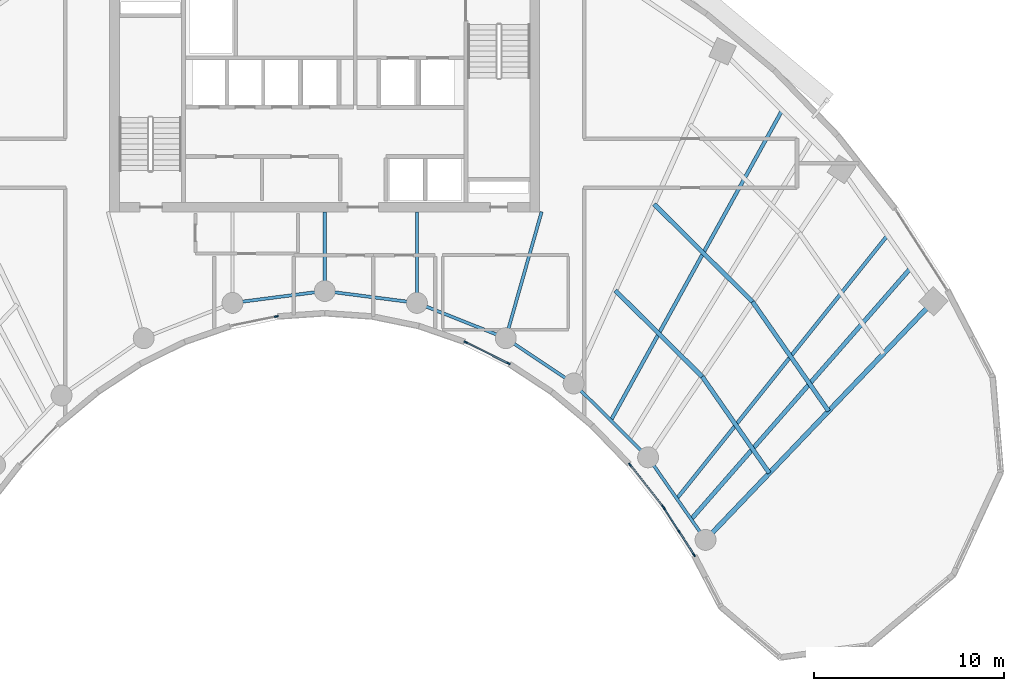
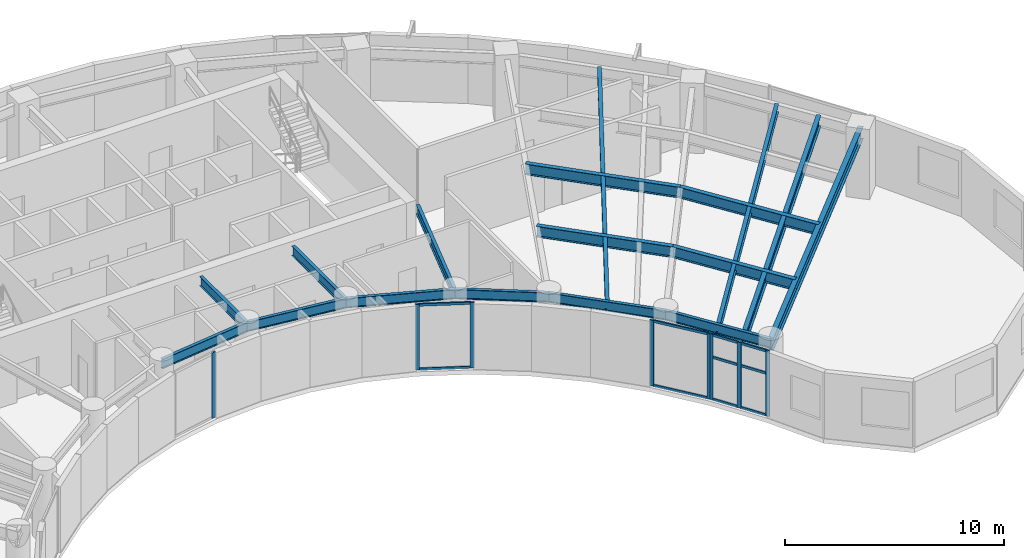
# One storey, part 3 of 13: 18 members, 17 beams, 4 elements without a shape of their own.
"""IFC4 building model written with IfcOpenShell, lengths in metres."""

from ifc_helpers import new_model, si_unit, direction, frame, origin, origin_2d, place, context, subcontext, project, spatial, rectangle, i_section, extrude, source, transform, mapped, material, layer, layer_set, material_profile, profile_set, type_object, type_shapes, element, aggregate, save


model = new_model("IFC4")

# Units and contexts
model_context = context("Model", 3, precision=1e-05, world=origin(), true_north=direction((0.0, 1.0)))
body_context = subcontext(model_context, "Body", "Model", "MODEL_VIEW")
ifc_project = project(units=[si_unit("LENGTHUNIT", "METRE"), si_unit("AREAUNIT", "SQUARE_METRE"), si_unit("VOLUMEUNIT", "CUBIC_METRE"), si_unit("PLANEANGLEUNIT", "RADIAN"), si_unit("MASSUNIT", "GRAM", prefix="KILO")], contexts=[model_context])

# Site, building, storey
site_placement = place(None, origin())
site = spatial("IfcSite", under=ifc_project, at=site_placement, CompositionType="ELEMENT")
building_placement = place(site_placement, origin())
building = spatial("IfcBuilding", under=site, at=building_placement, Name="Breltana Convention Tower", CompositionType="ELEMENT")
storey_placement = place(building_placement, frame((0.0, 0.0, 154.5)))
storey = spatial("IfcBuildingStorey", under=building, at=storey_placement, Name="L37", CompositionType="ELEMENT", Elevation=154.5)

# Beams
ifc_material_1 = material(Name="Steel ASTM A992 Grade 50", Category="steel")
ifc_material_profile_1 = material_profile(ifc_material_1, i_section(OverallWidth=0.25390625, OverallDepth=0.68798828125, WebThickness=0.01318359375, FlangeThickness=0.02099609375, at=origin_2d()), Name="W27X102")
ifc_profile_set_1 = profile_set([ifc_material_profile_1], Name="Steel ASTM A992 Grade 50")
beam_type_1 = type_object("IfcBeamType", Name="BM-RG-W27X102", PredefinedType="USERDEFINED", material=ifc_profile_set_1)
shared_shape_1 = source(origin(), body_context, "Body", "SweptSolid", [
    extrude(i_section(OverallWidth=0.25390625, OverallDepth=0.68798828125, WebThickness=0.01318359375, FlangeThickness=0.02099609375, at=origin_2d()), origin(), (0.0, 0.0, 1.0), 17.341064453125),
])
type_shapes(beam_type_1, [shared_shape_1])
beam_1_placement = place(storey_placement, frame((68.015380859375, 42.95458984375, 3.305908203125), z_axis=(0.690716462293, 0.723125693581, 0.0), x_axis=(-0.723125693581, 0.690716462293, 0.0)))
element("IfcBeam", 1, at=beam_1_placement, inside=storey, type_object=beam_type_1, Name="L37 Radial Floor Girder R11", ObjectType="GIRDER", PredefinedType="USERDEFINED", context=body_context, shape_type="MappedRepresentation", body=[
    mapped(shared_shape_1, transform((0.0, 0.0, 0.0), scale=1.0)),
])
ifc_material_profile_2 = material_profile(ifc_material_1, i_section(OverallWidth=0.166015625, OverallDepth=0.534912109375, WebThickness=0.01025390625, FlangeThickness=0.0166015625, at=origin_2d()), Name="W21X57")
ifc_profile_set_2 = profile_set([ifc_material_profile_2], Name="Steel ASTM A992 Grade 50")
beam_type_2 = type_object("IfcBeamType", Name="BM-BM-W21X57", PredefinedType="BEAM", material=ifc_profile_set_2)
shared_shape_2 = source(origin(), body_context, "Body", "SweptSolid", [
    extrude(i_section(OverallWidth=0.166015625, OverallDepth=0.534912109375, WebThickness=0.01025390625, FlangeThickness=0.0166015625, at=origin_2d()), origin(), (0.0, 0.0, 1.0), 6.904541015625),
])
type_shapes(beam_type_2, [shared_shape_2])
beam_2_placement = place(storey_placement, frame((59.39990234375, 60.199951171875, 3.382568359375), z_axis=(-0.273006781054, -0.962012108811, 0.0), x_axis=(0.962012108811, -0.273006781054, 0.0)))
element("IfcBeam", 2, at=beam_2_placement, inside=storey, type_object=beam_type_2, Name="L37 South Core Tie Girder R08", PredefinedType="BEAM", context=body_context, shape_type="MappedRepresentation", body=[
    mapped(shared_shape_2, transform((0.0, 0.0, 0.0), scale=1.0)),
])
shared_shape_3 = source(origin(), body_context, "Body", "SweptSolid", [
    extrude(i_section(OverallWidth=0.166015625, OverallDepth=0.534912109375, WebThickness=0.01025390625, FlangeThickness=0.0166015625, at=origin_2d()), origin(), (0.0, 0.0, 1.0), 4.789306640625),
])
beam_3_placement = place(storey_placement, frame((52.846435546875, 60.199951171875, 3.382568359375), z_axis=(0.0, -1.0, 0.0), x_axis=(1.0, 0.0, 0.0)))
element("IfcBeam", 3, at=beam_3_placement, inside=storey, type_object=beam_type_2, Name="L37 South Core Tie Girder R07", PredefinedType="BEAM", context=body_context, shape_type="MappedRepresentation", body=[
    mapped(shared_shape_3, transform((0.0, 0.0, 0.0), scale=1.0)),
])
shared_shape_4 = source(origin(), body_context, "Body", "SweptSolid", [
    extrude(i_section(OverallWidth=0.166015625, OverallDepth=0.534912109375, WebThickness=0.01025390625, FlangeThickness=0.0166015625, at=origin_2d()), origin(), (0.0, 0.0, 1.0), 4.1640625),
])
beam_4_placement = place(storey_placement, frame((48.0, 60.199951171875, 3.382568359375), z_axis=(0.0, -1.0, 0.0), x_axis=(1.0, 0.0, 0.0)))
element("IfcBeam", 4, at=beam_4_placement, inside=storey, type_object=beam_type_2, Name="L37 South Core Tie Girder R06", PredefinedType="BEAM", context=body_context, shape_type="MappedRepresentation", body=[
    mapped(shared_shape_4, transform((0.0, 0.0, 0.0), scale=1.0)),
])
shared_shape_5 = source(origin(), body_context, "Body", "SweptSolid", [
    extrude(i_section(OverallWidth=0.166015625, OverallDepth=0.534912109375, WebThickness=0.01025390625, FlangeThickness=0.0166015625, at=origin_2d()), origin(), (0.0, 0.0, 1.0), 5.022705078125),
])
beam_5_placement = place(storey_placement, frame((52.846435546875, 55.41064453125, 3.382568359375), z_axis=(0.929458966248, -0.368925507469, 0.0), x_axis=(0.368925507469, 0.929458966248, 0.0)))
element("IfcBeam", 5, at=beam_5_placement, inside=storey, type_object=beam_type_2, Name="L37 Inner Ring Beam 07", PredefinedType="BEAM", context=body_context, shape_type="MappedRepresentation", body=[
    mapped(shared_shape_5, transform((0.0, 0.0, 0.0), scale=1.0)),
])
shared_shape_6 = source(origin(), body_context, "Body", "SweptSolid", [
    extrude(i_section(OverallWidth=0.166015625, OverallDepth=0.534912109375, WebThickness=0.01025390625, FlangeThickness=0.0166015625, at=origin_2d()), origin(), (0.0, 0.0, 1.0), 4.88671875),
])
for number, where, z_axis, x_axis, name in (
    (6, (43.153564453125, 55.41064453125, 3.382568359375), (0.991780525565, 0.127950729231, 0.0), (-0.127950729231, 0.991780525565, 0.0), "L37 Inner Ring Beam 05"),
    (7, (48.0, 56.035888671875, 3.382568359375), (0.991780525565, -0.127950729231, 0.0), (0.127950729231, 0.991780525565, 0.0), "L37 Inner Ring Beam 06"),
):
    element("IfcBeam", number, at=place(storey_placement, frame(where, z_axis=z_axis, x_axis=x_axis)), inside=storey, type_object=beam_type_2, Name=name, PredefinedType="BEAM", context=body_context, shape_type="MappedRepresentation", body=[
        mapped(shared_shape_6, transform((0.0, 0.0, 0.0), scale=1.0)),
    ])
shared_shape_7 = source(origin(), body_context, "Body", "SweptSolid", [
    extrude(i_section(OverallWidth=0.166015625, OverallDepth=0.534912109375, WebThickness=0.01025390625, FlangeThickness=0.0166015625, at=origin_2d()), origin(), (0.0, 0.0, 1.0), 4.2900390625),
])
beam_6_placement = place(storey_placement, frame((57.514892578125, 53.5576171875, 3.382568359375), z_axis=(0.831515827753, -0.555501060482, 0.0), x_axis=(0.555501060482, 0.831515827753, 0.0)))
element("IfcBeam", 8, at=beam_6_placement, inside=storey, type_object=beam_type_2, Name="L37 Inner Ring Beam 08", PredefinedType="BEAM", context=body_context, shape_type="MappedRepresentation", body=[
    mapped(shared_shape_7, transform((0.0, 0.0, 0.0), scale=1.0)),
])
shared_shape_8 = source(origin(), body_context, "Body", "SweptSolid", [
    extrude(i_section(OverallWidth=0.166015625, OverallDepth=0.534912109375, WebThickness=0.01025390625, FlangeThickness=0.0166015625, at=origin_2d()), origin(), (0.0, 0.0, 1.0), 5.51171875),
])
beam_7_placement = place(storey_placement, frame((61.08203125, 51.174560546875, 3.382568359375), z_axis=(0.710090360749, -0.704110559196, 0.0), x_axis=(0.704110559196, 0.710090360749, 0.0)))
element("IfcBeam", 9, at=beam_7_placement, inside=storey, type_object=beam_type_2, Name="L37 Inner Ring Beam 09", PredefinedType="BEAM", context=body_context, shape_type="MappedRepresentation", body=[
    mapped(shared_shape_8, transform((0.0, 0.0, 0.0), scale=1.0)),
])
shared_shape_9 = source(origin(), body_context, "Body", "SweptSolid", [
    extrude(i_section(OverallWidth=0.166015625, OverallDepth=0.534912109375, WebThickness=0.01025390625, FlangeThickness=0.0166015625, at=origin_2d()), origin(), (0.0, 0.0, 1.0), 5.286376953125),
])
beam_8_placement = place(storey_placement, frame((64.995849609375, 47.293701171875, 3.382568359375), z_axis=(0.571194382458, -0.82081482531, 0.0), x_axis=(0.82081482531, 0.571194382458, 0.0)))
element("IfcBeam", 10, at=beam_8_placement, inside=storey, type_object=beam_type_2, Name="L37 Inner Ring Beam 10", PredefinedType="BEAM", context=body_context, shape_type="MappedRepresentation", body=[
    mapped(shared_shape_9, transform((0.0, 0.0, 0.0), scale=1.0)),
])
ifc_material_profile_3 = material_profile(ifc_material_1, i_section(OverallWidth=0.22802734375, OverallDepth=0.60791015625, WebThickness=0.01123046875, FlangeThickness=0.017333984375, at=origin_2d()), Name="W24X76")
ifc_profile_set_3 = profile_set([ifc_material_profile_3], Name="Steel ASTM A992 Grade 50")
beam_type_3 = type_object("IfcBeamType", Name="BM-JSG-02", PredefinedType="JOIST", material=ifc_profile_set_3)
shared_shape_10 = source(origin(), body_context, "Body", "SweptSolid", [
    extrude(i_section(OverallWidth=0.22802734375, OverallDepth=0.60791015625, WebThickness=0.01123046875, FlangeThickness=0.017333984375, at=origin_2d()), origin(), (0.0, 0.0, 1.0), 6.435302734375),
])
beam_9_placement = place(storey_placement, frame((63.27392578125, 56.06298828125, 3.345947265625), z_axis=(0.710116389828, -0.704084308089, 0.0), x_axis=(0.704084308089, 0.710116389828, 0.0)))
element("IfcBeam", 11, at=beam_9_placement, inside=storey, type_object=beam_type_3, Name="L37 Composite Floor Joist 09.1", PredefinedType="JOIST", context=body_context, shape_type="MappedRepresentation", body=[
    mapped(shared_shape_10, transform((0.0, 0.0, 0.0), scale=1.0)),
])
shared_shape_11 = source(origin(), body_context, "Body", "SweptSolid", [
    extrude(i_section(OverallWidth=0.22802734375, OverallDepth=0.60791015625, WebThickness=0.01123046875, FlangeThickness=0.017333984375, at=origin_2d()), origin(), (0.0, 0.0, 1.0), 7.29296875),
])
beam_10_placement = place(storey_placement, frame((65.309326171875, 60.602294921875, 3.345947265625), z_axis=(0.710096551013, -0.704104316305, 0.0), x_axis=(0.704104316305, 0.710096551013, 0.0)))
element("IfcBeam", 12, at=beam_10_placement, inside=storey, type_object=beam_type_3, Name="L37 Composite Floor Joist 09.2", PredefinedType="JOIST", context=body_context, shape_type="MappedRepresentation", body=[
    mapped(shared_shape_11, transform((0.0, 0.0, 0.0), scale=1.0)),
])
ifc_material_profile_4 = material_profile(ifc_material_1, i_section(OverallWidth=0.19091796875, OverallDepth=0.4599609375, WebThickness=0.010009765625, FlangeThickness=0.01611328125, at=origin_2d()), Name="W18X55")
ifc_profile_set_4 = profile_set([ifc_material_profile_4], Name="Steel ASTM A992 Grade 50")
beam_type_4 = type_object("IfcBeamType", Name="BM-JSG-07", PredefinedType="JOIST", material=ifc_profile_set_4)
shared_shape_12 = source(origin(), body_context, "Body", "SweptSolid", [
    extrude(i_section(OverallWidth=0.19091796875, OverallDepth=0.4599609375, WebThickness=0.010009765625, FlangeThickness=0.01611328125, at=origin_2d()), origin(), (0.0, 0.0, 1.0), 18.617431640625),
])
beam_11_placement = place(storey_placement, frame((63.038818359375, 49.234130859375, 3.419921875), z_axis=(0.483405602507, 0.875396495004, 0.0), x_axis=(-0.875396495004, 0.483405602507, 0.0)))
element("IfcBeam", 13, at=beam_11_placement, inside=storey, type_object=beam_type_4, Name="L37 Mid-Bay Radial Trimmer 09", PredefinedType="JOIST", context=body_context, shape_type="MappedRepresentation", body=[
    mapped(shared_shape_12, transform((0.0, 0.0, 0.0), scale=1.0)),
])
shared_shape_13 = source(origin(), body_context, "Body", "SweptSolid", [
    extrude(i_section(OverallWidth=0.22802734375, OverallDepth=0.60791015625, WebThickness=0.01123046875, FlangeThickness=0.017333984375, at=origin_2d()), origin(), (0.0, 0.0, 1.0), 6.172119140625),
])
beam_12_placement = place(storey_placement, frame((67.84375, 51.531982421875, 3.345947265625), z_axis=(0.571211663392, -0.820802799462, 0.0), x_axis=(0.820802799462, 0.571211663392, 0.0)))
element("IfcBeam", 14, at=beam_12_placement, inside=storey, type_object=beam_type_3, Name="L37 Composite Floor Joist 10.1", PredefinedType="JOIST", context=body_context, shape_type="MappedRepresentation", body=[
    mapped(shared_shape_13, transform((0.0, 0.0, 0.0), scale=1.0)),
])
shared_shape_14 = source(origin(), body_context, "Body", "SweptSolid", [
    extrude(i_section(OverallWidth=0.22802734375, OverallDepth=0.60791015625, WebThickness=0.01123046875, FlangeThickness=0.017333984375, at=origin_2d()), origin(), (0.0, 0.0, 1.0), 6.99462890625),
])
beam_13_placement = place(storey_placement, frame((70.488037109375, 55.46728515625, 3.345947265625), z_axis=(0.571206630732, -0.820806301759, 0.0), x_axis=(0.820806301759, 0.571206630732, 0.0)))
element("IfcBeam", 15, at=beam_13_placement, inside=storey, type_object=beam_type_3, Name="L37 Composite Floor Joist 10.2", PredefinedType="JOIST", context=body_context, shape_type="MappedRepresentation", body=[
    mapped(shared_shape_14, transform((0.0, 0.0, 0.0), scale=1.0)),
])
shared_shape_15 = source(origin(), body_context, "Body", "SweptSolid", [
    extrude(i_section(OverallWidth=0.19091796875, OverallDepth=0.4599609375, WebThickness=0.010009765625, FlangeThickness=0.01611328125, at=origin_2d()), origin(), (0.0, 0.0, 1.0), 17.7236328125),
])
beam_14_placement = place(storey_placement, frame((66.505615234375, 45.124267578125, 3.419921875), z_axis=(0.624829427563, 0.78076128647, 0.0), x_axis=(-0.78076128647, 0.624829427563, 0.0)))
element("IfcBeam", 16, at=beam_14_placement, inside=storey, type_object=beam_type_4, Name="L37 Mid-Bay Radial Trimmer 10", PredefinedType="JOIST", context=body_context, shape_type="MappedRepresentation", body=[
    mapped(shared_shape_15, transform((0.0, 0.0, 0.0), scale=1.0)),
])
shared_shape_16 = source(origin(), body_context, "Body", "SweptSolid", [
    extrude(i_section(OverallWidth=0.22802734375, OverallDepth=0.60791015625, WebThickness=0.01123046875, FlangeThickness=0.017333984375, at=origin_2d()), origin(), (0.0, 0.0, 1.0), 17.515625),
])
beam_15_placement = place(storey_placement, frame((67.260498046875, 44.03955078125, 3.345947265625), z_axis=(0.658051548324, 0.752972881151, 0.0), x_axis=(-0.752972881151, 0.658051548324, 0.0)))
element("IfcBeam", 17, at=beam_15_placement, inside=storey, type_object=beam_type_3, Name="L37 Quarter-Bay Radial Trimmer 10", PredefinedType="JOIST", context=body_context, shape_type="MappedRepresentation", body=[
    mapped(shared_shape_16, transform((0.0, 0.0, 0.0), scale=1.0)),
])

# Curtain wall, members
ifc_material_2 = material(Name="Aluminium Anodised Bronze Frame", Category="aluminium")
ifc_layer = layer(ifc_material_2, 0.18994140625, Name="Aluminium Anodised Bronze Frame")
ifc_layer_set = layer_set([ifc_layer], Name="Aluminium Anodised Bronze Frame")
curtain_wall_type = type_object("IfcCurtainWallType", Name="CW-SYS-1", PredefinedType="NOTDEFINED", material=ifc_layer_set)
curtain_wall_1_placement = place(storey_placement, origin())
curtain_wall_1 = element("IfcCurtainWall", 18, at=curtain_wall_1_placement, inside=storey, type_object=curtain_wall_type, Name="L37 inner south-court glazing 1", PredefinedType="NOTDEFINED")
ifc_material_3 = material(Name="Aluminium Anodised Bronze", Category="aluminium")
ifc_material_profile_5 = material_profile(ifc_material_3, rectangle(XDim=0.080078125, YDim=0.199951171875, at=origin_2d()), Name="CWM-80X200")
ifc_profile_set_5 = profile_set([ifc_material_profile_5], Name="Aluminium Anodised Bronze")
member_type_1 = type_object("IfcMemberType", Name="CWM-200", PredefinedType="MULLION", material=ifc_profile_set_5)
shared_shape_17 = source(origin(), body_context, "Body", "SweptSolid", [
    extrude(rectangle(XDim=0.080078125, YDim=0.199951171875, at=origin_2d()), origin(), (0.0, 0.0, 1.0), 3.64990234375),
])
member_1_placement = place(storey_placement, frame((67.40966796875, 42.17041015625, 0.0), z_axis=(0.0, 0.0, 1.0), x_axis=(-0.841546744491, -0.540184298954, 0.0)))
member_1 = element("IfcMember", 19, at=member_1_placement, type_object=member_type_1, Name="CW-01 mullion 1", PredefinedType="MULLION", context=body_context, shape_type="MappedRepresentation", body=[
    mapped(shared_shape_17, transform((0.0, 0.0, 0.0), scale=1.0)),
])
member_2_placement = place(storey_placement, frame((66.626220703125, 43.390869140625, 0.0), z_axis=(0.0, 0.0, 1.0), x_axis=(-0.841546744491, -0.540184298954, 0.0)))
member_2 = element("IfcMember", 20, at=member_2_placement, type_object=member_type_1, Name="CW-01 mullion 2", PredefinedType="MULLION", context=body_context, shape_type="MappedRepresentation", body=[
    mapped(shared_shape_17, transform((0.0, 0.0, 0.0), scale=1.0)),
])
member_3_placement = place(storey_placement, frame((65.843017578125, 44.611328125, 0.0), z_axis=(0.0, 0.0, 1.0), x_axis=(-0.841546744491, -0.540184298954, 0.0)))
member_3 = element("IfcMember", 21, at=member_3_placement, type_object=member_type_1, Name="CW-01 mullion 3", PredefinedType="MULLION", context=body_context, shape_type="MappedRepresentation", body=[
    mapped(shared_shape_17, transform((0.0, 0.0, 0.0), scale=1.0)),
])

curtain_wall_2_placement = place(storey_placement, origin())
curtain_wall_2 = element("IfcCurtainWall", 22, at=curtain_wall_2_placement, inside=storey, type_object=curtain_wall_type, Name="L37 inner south-court glazing 2", PredefinedType="NOTDEFINED")
member_4_placement = place(storey_placement, frame((65.78662109375, 44.6904296875, 0.0), z_axis=(0.0, 0.0, 1.0), x_axis=(-0.786051168431, -0.618161435717, 0.0)))
member_4 = element("IfcMember", 23, at=member_4_placement, type_object=member_type_1, Name="CW-01 mullion 1", PredefinedType="MULLION", context=body_context, shape_type="MappedRepresentation", body=[
    mapped(shared_shape_17, transform((0.0, 0.0, 0.0), scale=1.0)),
])
member_5_placement = place(storey_placement, frame((64.045166015625, 46.905029296875, 0.0), z_axis=(0.0, 0.0, 1.0), x_axis=(-0.786051168431, -0.618161435717, 0.0)))
member_5 = element("IfcMember", 24, at=member_5_placement, type_object=member_type_1, Name="CW-01 mullion 2", PredefinedType="MULLION", context=body_context, shape_type="MappedRepresentation", body=[
    mapped(shared_shape_17, transform((0.0, 0.0, 0.0), scale=1.0)),
])

curtain_wall_3_placement = place(storey_placement, origin())
curtain_wall_3 = element("IfcCurtainWall", 25, at=curtain_wall_3_placement, inside=storey, type_object=curtain_wall_type, Name="L37 inner south-court glazing 3", PredefinedType="NOTDEFINED")
member_6_placement = place(storey_placement, frame((57.65625, 52.23095703125, 0.0), z_axis=(0.0, 0.0, 1.0), x_axis=(-0.444115496562, -0.895969545082, 0.0)))
member_6 = element("IfcMember", 26, at=member_6_placement, type_object=member_type_1, Name="CW-01 mullion 1", PredefinedType="MULLION", context=body_context, shape_type="MappedRepresentation", body=[
    mapped(shared_shape_17, transform((0.0, 0.0, 0.0), scale=1.0)),
])
member_7_placement = place(storey_placement, frame((55.412353515625, 53.34326171875, 0.0), z_axis=(0.0, 0.0, 1.0), x_axis=(-0.444115496562, -0.895969545082, 0.0)))
member_7 = element("IfcMember", 27, at=member_7_placement, type_object=member_type_1, Name="CW-01 mullion 2", PredefinedType="MULLION", context=body_context, shape_type="MappedRepresentation", body=[
    mapped(shared_shape_17, transform((0.0, 0.0, 0.0), scale=1.0)),
])

# Curtain wall, member
curtain_wall_4_placement = place(storey_placement, origin())
curtain_wall_4 = element("IfcCurtainWall", 28, at=curtain_wall_4_placement, inside=storey, type_object=curtain_wall_type, Name="L37 inner south-court glazing 4", PredefinedType="NOTDEFINED")
member_8_placement = place(storey_placement, frame((45.458740234375, 54.69677734375, 0.0), z_axis=(0.0, 0.0, 1.0), x_axis=(0.200861178299, -0.979619715529, 0.0)))
member_8 = element("IfcMember", 29, at=member_8_placement, type_object=member_type_1, Name="CW-01 mullion 1", PredefinedType="MULLION", context=body_context, shape_type="MappedRepresentation", body=[
    mapped(shared_shape_17, transform((0.0, 0.0, 0.0), scale=1.0)),
])
aggregate(curtain_wall_4, [member_8])

# Member
ifc_material_profile_6 = material_profile(ifc_material_3, rectangle(XDim=0.080078125, YDim=0.139892578125, at=origin_2d()), Name="CWT-80X140")
ifc_profile_set_6 = profile_set([ifc_material_profile_6], Name="Aluminium Anodised Bronze")
member_type_2 = type_object("IfcMemberType", Name="CWT-140", PredefinedType="USERDEFINED", material=ifc_profile_set_6)
shared_shape_18 = source(origin(), body_context, "Body", "SweptSolid", [
    extrude(rectangle(XDim=0.080078125, YDim=0.139892578125, at=origin_2d()), origin(), (0.0, 0.0, 1.0), 1.3701171875),
])
member_9_placement = place(storey_placement, frame((67.38818359375, 42.2041015625, 0.0400390625), z_axis=(-0.540226175019, 0.841519863, 0.0), x_axis=(-0.841519863, -0.540226175019, 0.0)))
member_9 = element("IfcMember", 30, at=member_9_placement, type_object=member_type_2, Name="CW-01 transom 1.1", ObjectType="TRANSOM", PredefinedType="USERDEFINED", context=body_context, shape_type="MappedRepresentation", body=[
    mapped(shared_shape_18, transform((0.0, 0.0, 0.0), scale=1.0)),
])

member_10_placement = place(storey_placement, frame((67.38818359375, 42.2041015625, 2.37255859375), z_axis=(-0.540226175019, 0.841519863, 0.0), x_axis=(-0.841519863, -0.540226175019, 0.0)))
member_10 = element("IfcMember", 31, at=member_10_placement, type_object=member_type_2, Name="CW-01 transom 1.2", ObjectType="TRANSOM", PredefinedType="USERDEFINED", context=body_context, shape_type="MappedRepresentation", body=[
    mapped(shared_shape_18, transform((0.0, 0.0, 0.0), scale=1.0)),
])

member_11_placement = place(storey_placement, frame((67.38818359375, 42.2041015625, 3.610107421875), z_axis=(-0.540226175019, 0.841519863, 0.0), x_axis=(-0.841519863, -0.540226175019, 0.0)))
member_11 = element("IfcMember", 32, at=member_11_placement, type_object=member_type_2, Name="CW-01 transom 1.3", ObjectType="TRANSOM", PredefinedType="USERDEFINED", context=body_context, shape_type="MappedRepresentation", body=[
    mapped(shared_shape_18, transform((0.0, 0.0, 0.0), scale=1.0)),
])

member_12_placement = place(storey_placement, frame((66.604736328125, 43.424560546875, 0.0400390625), z_axis=(-0.540226175019, 0.841519863, 0.0), x_axis=(-0.841519863, -0.540226175019, 0.0)))
member_12 = element("IfcMember", 33, at=member_12_placement, type_object=member_type_2, Name="CW-01 transom 2.1", ObjectType="TRANSOM", PredefinedType="USERDEFINED", context=body_context, shape_type="MappedRepresentation", body=[
    mapped(shared_shape_18, transform((0.0, 0.0, 0.0), scale=1.0)),
])

member_13_placement = place(storey_placement, frame((66.604736328125, 43.424560546875, 2.37255859375), z_axis=(-0.540226175019, 0.841519863, 0.0), x_axis=(-0.841519863, -0.540226175019, 0.0)))
member_13 = element("IfcMember", 34, at=member_13_placement, type_object=member_type_2, Name="CW-01 transom 2.2", ObjectType="TRANSOM", PredefinedType="USERDEFINED", context=body_context, shape_type="MappedRepresentation", body=[
    mapped(shared_shape_18, transform((0.0, 0.0, 0.0), scale=1.0)),
])

member_14_placement = place(storey_placement, frame((66.604736328125, 43.424560546875, 3.610107421875), z_axis=(-0.540226175019, 0.841519863, 0.0), x_axis=(-0.841519863, -0.540226175019, 0.0)))
member_14 = element("IfcMember", 35, at=member_14_placement, type_object=member_type_2, Name="CW-01 transom 2.3", ObjectType="TRANSOM", PredefinedType="USERDEFINED", context=body_context, shape_type="MappedRepresentation", body=[
    mapped(shared_shape_18, transform((0.0, 0.0, 0.0), scale=1.0)),
])

aggregate(curtain_wall_1, [member_1, member_2, member_3, member_9, member_10, member_11, member_12, member_13, member_14])

shared_shape_19 = source(origin(), body_context, "Body", "SweptSolid", [
    extrude(rectangle(XDim=0.080078125, YDim=0.139892578125, at=origin_2d()), origin(), (0.0, 0.0, 1.0), 2.7373046875),
])
member_15_placement = place(storey_placement, frame((65.761962890625, 44.721923828125, 0.0400390625), z_axis=(-0.618179938224, 0.786036617453, 0.0), x_axis=(-0.786036617453, -0.618179938224, 0.0)))
member_15 = element("IfcMember", 36, at=member_15_placement, type_object=member_type_2, Name="CW-01 transom 1.1", ObjectType="TRANSOM", PredefinedType="USERDEFINED", context=body_context, shape_type="MappedRepresentation", body=[
    mapped(shared_shape_19, transform((0.0, 0.0, 0.0), scale=1.0)),
])

member_16_placement = place(storey_placement, frame((65.761962890625, 44.721923828125, 3.610107421875), z_axis=(-0.618179938224, 0.786036617453, 0.0), x_axis=(-0.786036617453, -0.618179938224, 0.0)))
member_16 = element("IfcMember", 37, at=member_16_placement, type_object=member_type_2, Name="CW-01 transom 1.2", ObjectType="TRANSOM", PredefinedType="USERDEFINED", context=body_context, shape_type="MappedRepresentation", body=[
    mapped(shared_shape_19, transform((0.0, 0.0, 0.0), scale=1.0)),
])

aggregate(curtain_wall_2, [member_4, member_5, member_15, member_16])

shared_shape_20 = source(origin(), body_context, "Body", "SweptSolid", [
    extrude(rectangle(XDim=0.080078125, YDim=0.139892578125, at=origin_2d()), origin(), (0.0, 0.0, 1.0), 2.42431640625),
])
member_17_placement = place(storey_placement, frame((57.620361328125, 52.248779296875, 0.0400390625), z_axis=(-0.895932597015, 0.44419002871, 0.0), x_axis=(-0.44419002871, -0.895932597015, 0.0)))
member_17 = element("IfcMember", 38, at=member_17_placement, type_object=member_type_2, Name="CW-01 transom 1.1", ObjectType="TRANSOM", PredefinedType="USERDEFINED", context=body_context, shape_type="MappedRepresentation", body=[
    mapped(shared_shape_20, transform((0.0, 0.0, 0.0), scale=1.0)),
])

member_18_placement = place(storey_placement, frame((57.620361328125, 52.248779296875, 3.610107421875), z_axis=(-0.895932597015, 0.44419002871, 0.0), x_axis=(-0.44419002871, -0.895932597015, 0.0)))
member_18 = element("IfcMember", 39, at=member_18_placement, type_object=member_type_2, Name="CW-01 transom 1.2", ObjectType="TRANSOM", PredefinedType="USERDEFINED", context=body_context, shape_type="MappedRepresentation", body=[
    mapped(shared_shape_20, transform((0.0, 0.0, 0.0), scale=1.0)),
])

aggregate(curtain_wall_3, [member_6, member_7, member_17, member_18])

save(model, "model.ifc")
